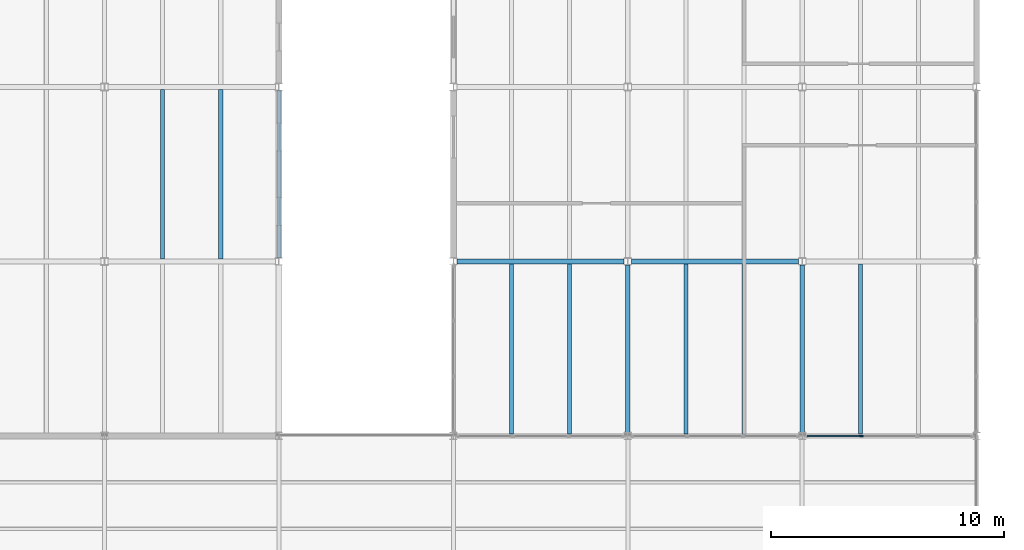
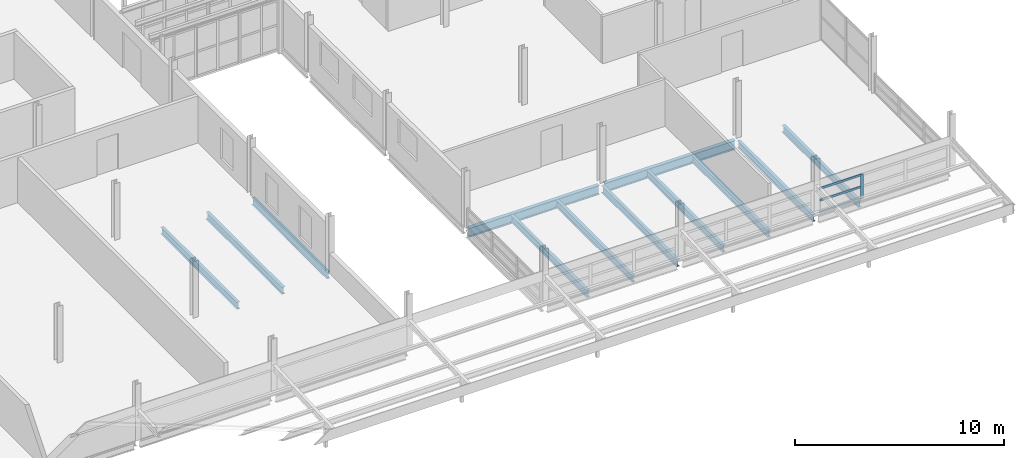
# One storey, part 47 of 214: 12 beams, 4 members, 1 element without a shape of its own.
"""IFC4 building model written with IfcOpenShell, lengths in metres."""

from ifc_helpers import new_model, si_unit, direction, frame, origin, origin_2d, place, context, subcontext, project, spatial, rectangle, i_section, extrude, material, material_profile, profile_set, type_object, element, aggregate, save


model = new_model("IFC4")

# Units and contexts
model_context = context("Model", 3, precision=1e-05, world=origin(), true_north=direction((0.0, 1.0)))
body_context = subcontext(model_context, "Body", "Model", "MODEL_VIEW")
ifc_project = project(units=[si_unit("LENGTHUNIT", "METRE"), si_unit("AREAUNIT", "SQUARE_METRE"), si_unit("VOLUMEUNIT", "CUBIC_METRE"), si_unit("PLANEANGLEUNIT", "RADIAN"), si_unit("MASSUNIT", "GRAM", prefix="KILO")], contexts=[model_context])

# Site, building, storey
site_placement = place(None, origin())
site = spatial("IfcSite", under=ifc_project, at=site_placement, CompositionType="ELEMENT")
building_placement = place(site_placement, origin())
building = spatial("IfcBuilding", under=site, at=building_placement, Name="Parallax Yard Mobility Hub", CompositionType="ELEMENT")
storey_placement = place(building_placement, frame((0.0, 0.0, 3.300048828125)))
storey = spatial("IfcBuildingStorey", under=building, at=storey_placement, Name="L01", CompositionType="ELEMENT", Elevation=3.300048828125)

# Curtain wall, members
ifc_material_1 = material(Name="Thermally broken aluminium curtain wall system", Category="aluminium")
curtain_wall_type = type_object("IfcCurtainWallType", Name="Curtain wall run 60 x 160 frame", PredefinedType="NOTDEFINED", material=ifc_material_1)
curtain_wall_placement = place(storey_placement, origin())
curtain_wall = element("IfcCurtainWall", 1, at=curtain_wall_placement, inside=storey, type_object=curtain_wall_type, Name="Curtain wall run Bicycle and shared-mobility hall south bay 3 level L01", PredefinedType="NOTDEFINED")
ifc_material_2 = material(Name="Extruded aluminium", Category="aluminium")
ifc_material_profile_1 = material_profile(ifc_material_2, rectangle(XDim=0.06005859375, YDim=0.159912109375, at=origin_2d()), Name="Mullion 60 x 160")
ifc_profile_set_1 = profile_set([ifc_material_profile_1], Name="Extruded aluminium")
member_type_1 = type_object("IfcMemberType", Name="Mullion 60 x 160", PredefinedType="MULLION", material=ifc_profile_set_1)
member_1_placement = place(storey_placement, frame((167.55126953125, 7.5, 0.0), z_axis=(0.0, 0.0, 1.0), x_axis=(0.0, 1.0, 0.0)))
member_1 = element("IfcMember", 2, at=member_1_placement, type_object=member_type_1, Name="CW1 mullion 2", PredefinedType="MULLION", context=body_context, shape_type="SweptSolid", body=[
    extrude(rectangle(XDim=0.06005859375, YDim=0.159912109375, at=origin_2d()), origin(), (0.0, 0.0, 1.0), 1.4404296875),
])
ifc_material_profile_2 = material_profile(ifc_material_2, rectangle(XDim=0.06005859375, YDim=0.1201171875, at=origin_2d()), Name="Transom 60 x 120")
ifc_profile_set_2 = profile_set([ifc_material_profile_2], Name="Extruded aluminium")
member_type_2 = type_object("IfcMemberType", Name="Transom 60 x 120", PredefinedType="USERDEFINED", material=ifc_profile_set_2)
member_2_placement = place(storey_placement, frame((165.21337890625, 7.5, 0.030029296875), z_axis=(1.0, 0.0, 0.0), x_axis=(0.0, 1.0, 0.0)))
member_2 = element("IfcMember", 3, at=member_2_placement, type_object=member_type_2, Name="CW1 transom 1.1", ObjectType="TRANSOM", PredefinedType="USERDEFINED", context=body_context, shape_type="SweptSolid", body=[
    extrude(rectangle(XDim=0.06005859375, YDim=0.1201171875, at=origin_2d()), origin(), (0.0, 0.0, 1.0), 2.307861328125),
])
member_3_placement = place(storey_placement, frame((165.21337890625, 7.5, 0.72021484375), z_axis=(1.0, 0.0, 0.0), x_axis=(0.0, 1.0, 0.0)))
member_3 = element("IfcMember", 4, at=member_3_placement, type_object=member_type_2, Name="CW1 transom 1.2", ObjectType="TRANSOM", PredefinedType="USERDEFINED", context=body_context, shape_type="SweptSolid", body=[
    extrude(rectangle(XDim=0.06005859375, YDim=0.1201171875, at=origin_2d()), origin(), (0.0, 0.0, 1.0), 2.307861328125),
])
member_4_placement = place(storey_placement, frame((165.21337890625, 7.5, 1.410400390625), z_axis=(1.0, 0.0, 0.0), x_axis=(0.0, 1.0, 0.0)))
member_4 = element("IfcMember", 5, at=member_4_placement, type_object=member_type_2, Name="CW1 transom 1.3", ObjectType="TRANSOM", PredefinedType="USERDEFINED", context=body_context, shape_type="SweptSolid", body=[
    extrude(rectangle(XDim=0.06005859375, YDim=0.1201171875, at=origin_2d()), origin(), (0.0, 0.0, 1.0), 2.307861328125),
])
aggregate(curtain_wall, [member_1, member_2, member_3, member_4])

# Beams
ifc_material_3 = material(Name="Steel ASTM A992", Category="steel")
ifc_material_profile_3 = material_profile(ifc_material_3, i_section(OverallWidth=0.177978515625, OverallDepth=0.406005859375, WebThickness=0.0078125, FlangeThickness=0.0126953125, FilletRadius=0.01025390625, at=origin_2d()), Name="W410x60")
ifc_profile_set_3 = profile_set([ifc_material_profile_3], Name="Steel ASTM A992")
beam_type_1 = type_object("IfcBeamType", Name="W410x60 secondary beam", PredefinedType="JOIST", material=ifc_profile_set_3)
for number, where, z_axis, x_axis, name in (
    (6, (152.5, 7.589599609375, -0.343017578125), (0.0, 1.0, 0.0), (-1.0, 0.0, 0.0), "Secondary beam B1 level L01, 2.5 m east of line 21 of bicycle and shared-mobility hall, span 1"),
    (7, (160.0, 7.589599609375, -0.343017578125), (0.0, 1.0, 0.0), (-1.0, 0.0, 0.0), "Secondary beam B1 level L01, 2.5 m east of line 22 of bicycle and shared-mobility hall, span 1"),
    (8, (167.5, 7.589599609375, -0.343017578125), (0.0, 1.0, 0.0), (-1.0, 0.0, 0.0), "Secondary beam B1 level L01, 2.5 m east of line 23 of bicycle and shared-mobility hall, span 1"),
    (9, (155.0, 7.589599609375, -0.343017578125), (0.0, 1.0, 0.0), (-1.0, 0.0, 0.0), "Secondary beam B1 level L01, 5 m east of line 21 of bicycle and shared-mobility hall, span 1"),
    (10, (162.5, 7.589599609375, -0.343017578125), (0.0, 1.0, 0.0), (-1.0, 0.0, 0.0), "Secondary beam B1 level L01, 5 m east of line 22 of bicycle and shared-mobility hall, span 1"),
):
    element("IfcBeam", number, at=place(storey_placement, frame(where, z_axis=z_axis, x_axis=x_axis)), inside=storey, type_object=beam_type_1, Name=name, PredefinedType="JOIST", context=body_context, shape_type="SweptSolid", body=[
        extrude(i_section(OverallWidth=0.177978515625, OverallDepth=0.406005859375, WebThickness=0.0078125, FlangeThickness=0.0126953125, FilletRadius=0.01025390625, at=origin_2d()), origin(), (0.0, 0.0, 1.0), 7.305908203125),
    ])
for number, where, z_axis, x_axis, name in (
    (11, (137.5, 15.1044921875, -0.343017578125), (0.0, 1.0, 0.0), (-1.0, 0.0, 0.0), "Secondary beam B1 level L01, 2.5 m east of line 19 of mobility service centre and workshops, span 2"),
    (12, (140.0, 15.1044921875, -0.343017578125), (0.0, 1.0, 0.0), (-1.0, 0.0, 0.0), "Secondary beam B1 level L01, 5 m east of line 19 of mobility service centre and workshops, span 2"),
):
    element("IfcBeam", number, at=place(storey_placement, frame(where, z_axis=z_axis, x_axis=x_axis)), inside=storey, type_object=beam_type_1, Name=name, PredefinedType="JOIST", context=body_context, shape_type="SweptSolid", body=[
        extrude(i_section(OverallWidth=0.177978515625, OverallDepth=0.406005859375, WebThickness=0.0078125, FlangeThickness=0.0126953125, FilletRadius=0.01025390625, at=origin_2d()), origin(), (0.0, 0.0, 1.0), 7.291015625),
    ])
ifc_material_profile_4 = material_profile(ifc_material_3, i_section(OverallWidth=0.178955078125, OverallDepth=0.408935546875, WebThickness=0.0087890625, FlangeThickness=0.014404296875, FilletRadius=0.01025390625, at=origin_2d()), Name="W410x67")
ifc_profile_set_4 = profile_set([ifc_material_profile_4], Name="Steel ASTM A992")
beam_type_2 = type_object("IfcBeamType", Name="W410x67 edge beam", PredefinedType="SPANDREL", material=ifc_profile_set_4)
beam_placement = place(storey_placement, frame((142.5, 15.153564453125, -0.344482421875), z_axis=(0.0, 1.0, 0.0), x_axis=(-1.0, 0.0, 0.0)))
element("IfcBeam", 13, at=beam_placement, inside=storey, type_object=beam_type_2, Name="Edge beam SB3 level L01, line 20 of mobility service centre and workshops, span 2", PredefinedType="SPANDREL", context=body_context, shape_type="SweptSolid", body=[
    extrude(i_section(OverallWidth=0.178955078125, OverallDepth=0.408935546875, WebThickness=0.0087890625, FlangeThickness=0.014404296875, FilletRadius=0.01025390625, at=origin_2d()), origin(), (0.0, 0.0, 1.0), 7.19287109375),
])
ifc_material_profile_5 = material_profile(ifc_material_3, i_section(OverallWidth=0.178955078125, OverallDepth=0.408935546875, WebThickness=0.0087890625, FlangeThickness=0.014404296875, FilletRadius=0.01025390625, at=origin_2d()), Name="W410x67")
ifc_profile_set_5 = profile_set([ifc_material_profile_5], Name="Steel ASTM A992")
beam_type_3 = type_object("IfcBeamType", Name="W410x67 girder", PredefinedType="BEAM", material=ifc_profile_set_5)
for number, where, z_axis, x_axis, name in (
    (14, (157.5, 7.653564453125, -0.344482421875), (0.0, 1.0, 0.0), (-1.0, 0.0, 0.0), "Girder G1 level L01, line 22 of bicycle and shared-mobility hall, span 1"),
    (15, (165.0, 7.653564453125, -0.344482421875), (0.0, 1.0, 0.0), (-1.0, 0.0, 0.0), "Girder G1 level L01, line 23 of bicycle and shared-mobility hall, span 1"),
):
    element("IfcBeam", number, at=place(storey_placement, frame(where, z_axis=z_axis, x_axis=x_axis)), inside=storey, type_object=beam_type_3, Name=name, PredefinedType="BEAM", context=body_context, shape_type="SweptSolid", body=[
        extrude(i_section(OverallWidth=0.178955078125, OverallDepth=0.408935546875, WebThickness=0.0087890625, FlangeThickness=0.014404296875, FilletRadius=0.01025390625, at=origin_2d()), origin(), (0.0, 0.0, 1.0), 7.19287109375),
    ])
ifc_material_profile_6 = material_profile(ifc_material_3, i_section(OverallWidth=0.208984375, OverallDepth=0.532958984375, WebThickness=0.01025390625, FlangeThickness=0.015625, FilletRadius=0.0126953125, at=origin_2d()), Name="W530x92")
ifc_profile_set_6 = profile_set([ifc_material_profile_6], Name="Steel ASTM A992")
beam_type_4 = type_object("IfcBeamType", Name="W530x92 longitudinal beam", PredefinedType="BEAM", material=ifc_profile_set_6)
for number, where, z_axis, x_axis, name in (
    (16, (150.152587890625, 15.0, -0.406494140625), (1.0, 0.0, 0.0), (0.0, 1.0, 0.0), "Longitudinal beam SB6 level L01, line C of bicycle and shared-mobility hall, span 1"),
    (17, (157.652587890625, 15.0, -0.406494140625), (1.0, 0.0, 0.0), (0.0, 1.0, 0.0), "Longitudinal beam SB6 level L01, line C of bicycle and shared-mobility hall, span 2"),
):
    element("IfcBeam", number, at=place(storey_placement, frame(where, z_axis=z_axis, x_axis=x_axis)), inside=storey, type_object=beam_type_4, Name=name, PredefinedType="BEAM", context=body_context, shape_type="SweptSolid", body=[
        extrude(i_section(OverallWidth=0.208984375, OverallDepth=0.532958984375, WebThickness=0.01025390625, FlangeThickness=0.015625, FilletRadius=0.0126953125, at=origin_2d()), origin(), (0.0, 0.0, 1.0), 7.19482421875),
    ])

save(model, "model.ifc")
